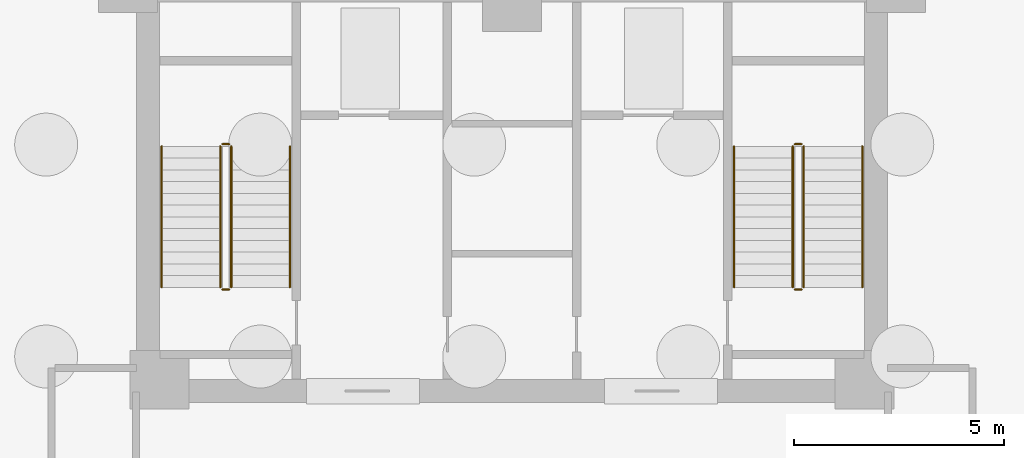
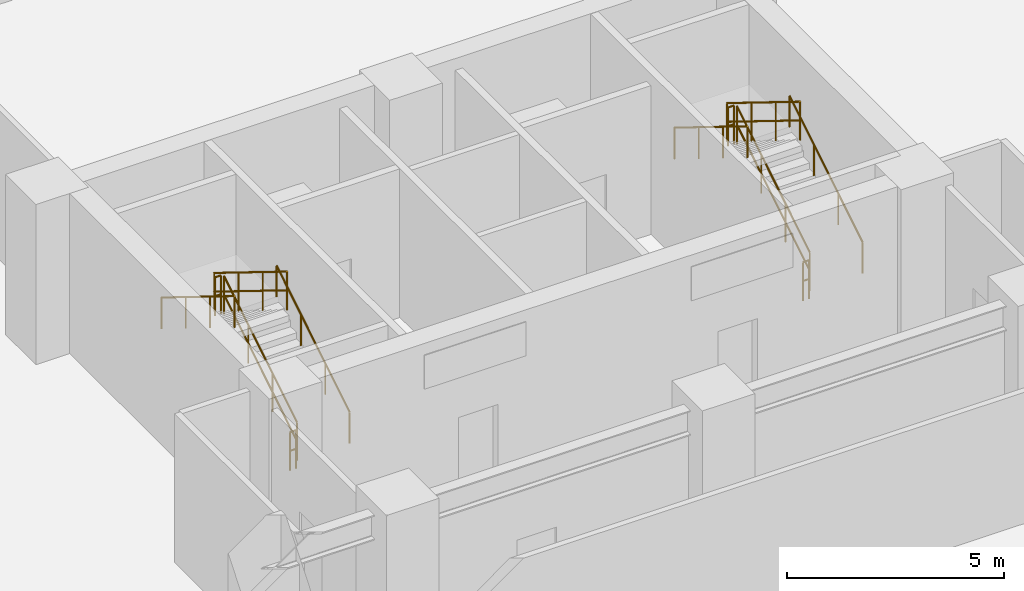
# One storey, part 13 of 15: 12 railings.
"""IFC4 building model written with IfcOpenShell, lengths in metres."""

from ifc_helpers import new_model, si_unit, derived_unit, direction, frame, origin, origin_2d, place, context, subcontext, project, spatial, circle, extrude, material, type_object, element, save


model = new_model("IFC4")

# Units and contexts
model_context = context("Model", 3, precision=1e-05, world=origin(), true_north=direction((0.0, 1.0)))
body_context = subcontext(model_context, "Body", "Model", "MODEL_VIEW")
ifc_project = project(units=[si_unit("LENGTHUNIT", "METRE"), si_unit("AREAUNIT", "SQUARE_METRE"), si_unit("VOLUMEUNIT", "CUBIC_METRE"), si_unit("PLANEANGLEUNIT", "RADIAN"), si_unit("MASSUNIT", "GRAM", prefix="KILO"), derived_unit("THERMALTRANSMITTANCEUNIT", [(si_unit("POWERUNIT", "WATT"), 1), (si_unit("LENGTHUNIT", "METRE"), -2), (si_unit("THERMODYNAMICTEMPERATUREUNIT", "KELVIN"), -1)])], contexts=[model_context])

# Site, building, storey
site_placement = place(None, origin())
site = spatial("IfcSite", under=ifc_project, at=site_placement, CompositionType="ELEMENT")
building_placement = place(site_placement, origin())
building = spatial("IfcBuilding", under=site, at=building_placement, Name="Korsvarv Bourse and Concert Hall", CompositionType="ELEMENT")
storey_placement = place(building_placement, frame((0.0, 0.0, -9.0)))
storey = spatial("IfcBuildingStorey", under=building, at=storey_placement, Name="B02", CompositionType="ELEMENT", Elevation=-9.0)

# Railings
ifc_material_1 = material(Name="Painted Steel S355 stair well guardrail", Category="steel")
railing_type_1 = type_object("IfcRailingType", Name="RL-ST-GRD", PredefinedType="GUARDRAIL", material=ifc_material_1)
railing_1_placement = place(storey_placement, frame((29.31005859375, 40.0, 0.173095703125)))
element("IfcRailing", 1, at=railing_1_placement, inside=storey, type_object=railing_type_1, Name="B02 ST-T1 stair guard 1", PredefinedType="GUARDRAIL", context=body_context, shape_type="SweptSolid", body=[
    extrude(circle(Radius=0.02392578125, at=origin_2d()), frame((0.0, 0.0, 1.076171875), z_axis=(0.0, 0.850623216509, 0.525775754039), x_axis=(-1.0, 0.0, 0.0)), (0.0, 0.0, 1.0), 3.9501953125),
    extrude(circle(Radius=0.02392578125, at=origin_2d()), frame((0.0, 0.0, 0.550048828125), z_axis=(0.0, 0.850623216509, 0.525775754039), x_axis=(-1.0, 0.0, 0.0)), (0.0, 0.0, 1.0), 3.9501953125),
    extrude(circle(Radius=0.02099609375, at=origin_2d()), origin(), (0.0, 0.0, 1.0), 1.052001953125),
    extrude(circle(Radius=0.02099609375, at=origin_2d()), frame((0.0, 1.1201171875, 0.6923828125)), (0.0, 0.0, 1.0), 1.052001953125),
    extrude(circle(Radius=0.02099609375, at=origin_2d()), frame((0.0, 2.239990234375, 1.384521484375)), (0.0, 0.0, 1.0), 1.052001953125),
    extrude(circle(Radius=0.02099609375, at=origin_2d()), frame((0.0, 3.360107421875, 2.076904296875)), (0.0, 0.0, 1.0), 1.052001953125),
])
railing_2_placement = place(storey_placement, frame((29.260009765625, 43.409912109375, 2.25)))
element("IfcRailing", 2, at=railing_2_placement, inside=storey, type_object=railing_type_1, Name="B02 ST-T1 stair guard 2", PredefinedType="GUARDRAIL", context=body_context, shape_type="SweptSolid", body=[
    extrude(circle(Radius=0.02392578125, at=origin_2d()), frame((0.0, 0.0, 1.076171875), z_axis=(-1.0, 0.0, 0.0), x_axis=(0.0, -1.0, 0.0)), (0.0, 0.0, 1.0), 0.159912109375),
    extrude(circle(Radius=0.02392578125, at=origin_2d()), frame((0.0, 0.0, 0.550048828125), z_axis=(-1.0, 0.0, 0.0), x_axis=(0.0, -1.0, 0.0)), (0.0, 0.0, 1.0), 0.159912109375),
    extrude(circle(Radius=0.02099609375, at=origin_2d()), origin(), (0.0, 0.0, 1.0), 1.052001953125),
    extrude(circle(Radius=0.02099609375, at=origin_2d()), frame((-0.159912109375, 0.0, 0.0)), (0.0, 0.0, 1.0), 1.052001953125),
])
railing_3_placement = place(storey_placement, frame((29.050048828125, 43.360107421875, 2.423095703125)))
element("IfcRailing", 3, at=railing_3_placement, inside=storey, type_object=railing_type_1, Name="B02 ST-T1 stair guard 3", PredefinedType="GUARDRAIL", context=body_context, shape_type="SweptSolid", body=[
    extrude(circle(Radius=0.02392578125, at=origin_2d()), frame((0.0, 0.0, 1.076171875), z_axis=(0.0, -0.850623216509, 0.525775754039), x_axis=(1.0, 0.0, 0.0)), (0.0, 0.0, 1.0), 3.9501953125),
    extrude(circle(Radius=0.02392578125, at=origin_2d()), frame((0.0, 0.0, 0.550048828125), z_axis=(0.0, -0.850623216509, 0.525775754039), x_axis=(1.0, 0.0, 0.0)), (0.0, 0.0, 1.0), 3.9501953125),
    extrude(circle(Radius=0.02099609375, at=origin_2d()), origin(), (0.0, 0.0, 1.0), 1.052001953125),
    extrude(circle(Radius=0.02099609375, at=origin_2d()), frame((0.0, -1.1201171875, 0.6923828125)), (0.0, 0.0, 1.0), 1.052001953125),
    extrude(circle(Radius=0.02099609375, at=origin_2d()), frame((0.0, -2.239990234375, 1.384521484375)), (0.0, 0.0, 1.0), 1.052001953125),
    extrude(circle(Radius=0.02099609375, at=origin_2d()), frame((0.0, -3.360107421875, 2.076904296875)), (0.0, 0.0, 1.0), 1.052001953125),
])
railing_4_placement = place(storey_placement, frame((29.260009765625, 39.949951171875, 0.0)))
element("IfcRailing", 4, at=railing_4_placement, inside=storey, type_object=railing_type_1, Name="B02 ST-T1 stair guard 4", PredefinedType="GUARDRAIL", context=body_context, shape_type="SweptSolid", body=[
    extrude(circle(Radius=0.02392578125, at=origin_2d()), frame((0.0, 0.0, 1.076171875), z_axis=(-1.0, 0.0, 0.0), x_axis=(0.0, -1.0, 0.0)), (0.0, 0.0, 1.0), 0.159912109375),
    extrude(circle(Radius=0.02392578125, at=origin_2d()), frame((0.0, 0.0, 0.550048828125), z_axis=(-1.0, 0.0, 0.0), x_axis=(0.0, -1.0, 0.0)), (0.0, 0.0, 1.0), 0.159912109375),
    extrude(circle(Radius=0.02099609375, at=origin_2d()), origin(), (0.0, 0.0, 1.0), 1.052001953125),
    extrude(circle(Radius=0.02099609375, at=origin_2d()), frame((-0.159912109375, 0.0, 0.0)), (0.0, 0.0, 1.0), 1.052001953125),
])
railing_5_placement = place(storey_placement, frame((42.949951171875, 40.0, 0.173095703125)))
element("IfcRailing", 5, at=railing_5_placement, inside=storey, type_object=railing_type_1, Name="B02 ST-T2 stair guard 1", PredefinedType="GUARDRAIL", context=body_context, shape_type="SweptSolid", body=[
    extrude(circle(Radius=0.02392578125, at=origin_2d()), frame((0.0, 0.0, 1.076171875), z_axis=(0.0, 0.850623216509, 0.525775754039), x_axis=(-1.0, 0.0, 0.0)), (0.0, 0.0, 1.0), 3.9501953125),
    extrude(circle(Radius=0.02392578125, at=origin_2d()), frame((0.0, 0.0, 0.550048828125), z_axis=(0.0, 0.850623216509, 0.525775754039), x_axis=(-1.0, 0.0, 0.0)), (0.0, 0.0, 1.0), 3.9501953125),
    extrude(circle(Radius=0.02099609375, at=origin_2d()), origin(), (0.0, 0.0, 1.0), 1.052001953125),
    extrude(circle(Radius=0.02099609375, at=origin_2d()), frame((0.0, 1.1201171875, 0.6923828125)), (0.0, 0.0, 1.0), 1.052001953125),
    extrude(circle(Radius=0.02099609375, at=origin_2d()), frame((0.0, 2.239990234375, 1.384521484375)), (0.0, 0.0, 1.0), 1.052001953125),
    extrude(circle(Radius=0.02099609375, at=origin_2d()), frame((0.0, 3.360107421875, 2.076904296875)), (0.0, 0.0, 1.0), 1.052001953125),
])
railing_6_placement = place(storey_placement, frame((42.89990234375, 43.409912109375, 2.25)))
element("IfcRailing", 6, at=railing_6_placement, inside=storey, type_object=railing_type_1, Name="B02 ST-T2 stair guard 2", PredefinedType="GUARDRAIL", context=body_context, shape_type="SweptSolid", body=[
    extrude(circle(Radius=0.02392578125, at=origin_2d()), frame((0.0, 0.0, 1.076171875), z_axis=(-1.0, 0.0, 0.0), x_axis=(0.0, -1.0, 0.0)), (0.0, 0.0, 1.0), 0.159912109375),
    extrude(circle(Radius=0.02392578125, at=origin_2d()), frame((0.0, 0.0, 0.550048828125), z_axis=(-1.0, 0.0, 0.0), x_axis=(0.0, -1.0, 0.0)), (0.0, 0.0, 1.0), 0.159912109375),
    extrude(circle(Radius=0.02099609375, at=origin_2d()), origin(), (0.0, 0.0, 1.0), 1.052001953125),
    extrude(circle(Radius=0.02099609375, at=origin_2d()), frame((-0.159912109375, 0.0, 0.0)), (0.0, 0.0, 1.0), 1.052001953125),
])
railing_7_placement = place(storey_placement, frame((42.68994140625, 43.360107421875, 2.423095703125)))
element("IfcRailing", 7, at=railing_7_placement, inside=storey, type_object=railing_type_1, Name="B02 ST-T2 stair guard 3", PredefinedType="GUARDRAIL", context=body_context, shape_type="SweptSolid", body=[
    extrude(circle(Radius=0.02392578125, at=origin_2d()), frame((0.0, 0.0, 1.076171875), z_axis=(0.0, -0.850623216509, 0.525775754039), x_axis=(1.0, 0.0, 0.0)), (0.0, 0.0, 1.0), 3.9501953125),
    extrude(circle(Radius=0.02392578125, at=origin_2d()), frame((0.0, 0.0, 0.550048828125), z_axis=(0.0, -0.850623216509, 0.525775754039), x_axis=(1.0, 0.0, 0.0)), (0.0, 0.0, 1.0), 3.9501953125),
    extrude(circle(Radius=0.02099609375, at=origin_2d()), origin(), (0.0, 0.0, 1.0), 1.052001953125),
    extrude(circle(Radius=0.02099609375, at=origin_2d()), frame((0.0, -1.1201171875, 0.6923828125)), (0.0, 0.0, 1.0), 1.052001953125),
    extrude(circle(Radius=0.02099609375, at=origin_2d()), frame((0.0, -2.239990234375, 1.384521484375)), (0.0, 0.0, 1.0), 1.052001953125),
    extrude(circle(Radius=0.02099609375, at=origin_2d()), frame((0.0, -3.360107421875, 2.076904296875)), (0.0, 0.0, 1.0), 1.052001953125),
])
railing_8_placement = place(storey_placement, frame((42.89990234375, 39.949951171875, 0.0)))
element("IfcRailing", 8, at=railing_8_placement, inside=storey, type_object=railing_type_1, Name="B02 ST-T2 stair guard 4", PredefinedType="GUARDRAIL", context=body_context, shape_type="SweptSolid", body=[
    extrude(circle(Radius=0.02392578125, at=origin_2d()), frame((0.0, 0.0, 1.076171875), z_axis=(-1.0, 0.0, 0.0), x_axis=(0.0, -1.0, 0.0)), (0.0, 0.0, 1.0), 0.159912109375),
    extrude(circle(Radius=0.02392578125, at=origin_2d()), frame((0.0, 0.0, 0.550048828125), z_axis=(-1.0, 0.0, 0.0), x_axis=(0.0, -1.0, 0.0)), (0.0, 0.0, 1.0), 0.159912109375),
    extrude(circle(Radius=0.02099609375, at=origin_2d()), origin(), (0.0, 0.0, 1.0), 1.052001953125),
    extrude(circle(Radius=0.02099609375, at=origin_2d()), frame((-0.159912109375, 0.0, 0.0)), (0.0, 0.0, 1.0), 1.052001953125),
])
ifc_material_2 = material(Name="Brushed stainless Steel S355 tubular handrail", Category="steel")
railing_type_2 = type_object("IfcRailingType", Name="RL-ST-HND", PredefinedType="HANDRAIL", material=ifc_material_2)
railing_9_placement = place(storey_placement, frame((30.7099609375, 40.0, 0.173095703125)))
element("IfcRailing", 9, at=railing_9_placement, inside=storey, type_object=railing_type_2, Name="B02 ST-T1 stair handrail 1", PredefinedType="HANDRAIL", context=body_context, shape_type="SweptSolid", body=[
    extrude(circle(Radius=0.02392578125, at=origin_2d()), frame((0.0, 0.0, 0.8759765625), z_axis=(0.0, 0.850623216509, 0.525775754039), x_axis=(-1.0, 0.0, 0.0)), (0.0, 0.0, 1.0), 3.9501953125),
    extrude(circle(Radius=0.02099609375, at=origin_2d()), origin(), (0.0, 0.0, 1.0), 0.851806640625),
    extrude(circle(Radius=0.02099609375, at=origin_2d()), frame((0.0, 1.1201171875, 0.6923828125)), (0.0, 0.0, 1.0), 0.851806640625),
    extrude(circle(Radius=0.02099609375, at=origin_2d()), frame((0.0, 2.239990234375, 1.384521484375)), (0.0, 0.0, 1.0), 0.851806640625),
    extrude(circle(Radius=0.02099609375, at=origin_2d()), frame((0.0, 3.360107421875, 2.076904296875)), (0.0, 0.0, 1.0), 0.851806640625),
])
railing_10_placement = place(storey_placement, frame((27.64990234375, 43.360107421875, 2.423095703125)))
element("IfcRailing", 10, at=railing_10_placement, inside=storey, type_object=railing_type_2, Name="B02 ST-T1 stair handrail 2", PredefinedType="HANDRAIL", context=body_context, shape_type="SweptSolid", body=[
    extrude(circle(Radius=0.02392578125, at=origin_2d()), frame((0.0, 0.0, 0.8759765625), z_axis=(0.0, -0.850623216509, 0.525775754039), x_axis=(1.0, 0.0, 0.0)), (0.0, 0.0, 1.0), 3.9501953125),
    extrude(circle(Radius=0.02099609375, at=origin_2d()), origin(), (0.0, 0.0, 1.0), 0.851806640625),
    extrude(circle(Radius=0.02099609375, at=origin_2d()), frame((0.0, -1.1201171875, 0.6923828125)), (0.0, 0.0, 1.0), 0.851806640625),
    extrude(circle(Radius=0.02099609375, at=origin_2d()), frame((0.0, -2.239990234375, 1.384521484375)), (0.0, 0.0, 1.0), 0.851806640625),
    extrude(circle(Radius=0.02099609375, at=origin_2d()), frame((0.0, -3.360107421875, 2.076904296875)), (0.0, 0.0, 1.0), 0.851806640625),
])
railing_11_placement = place(storey_placement, frame((44.35009765625, 40.0, 0.173095703125)))
element("IfcRailing", 11, at=railing_11_placement, inside=storey, type_object=railing_type_2, Name="B02 ST-T2 stair handrail 1", PredefinedType="HANDRAIL", context=body_context, shape_type="SweptSolid", body=[
    extrude(circle(Radius=0.02392578125, at=origin_2d()), frame((0.0, 0.0, 0.8759765625), z_axis=(0.0, 0.850623216509, 0.525775754039), x_axis=(-1.0, 0.0, 0.0)), (0.0, 0.0, 1.0), 3.9501953125),
    extrude(circle(Radius=0.02099609375, at=origin_2d()), origin(), (0.0, 0.0, 1.0), 0.851806640625),
    extrude(circle(Radius=0.02099609375, at=origin_2d()), frame((0.0, 1.1201171875, 0.6923828125)), (0.0, 0.0, 1.0), 0.851806640625),
    extrude(circle(Radius=0.02099609375, at=origin_2d()), frame((0.0, 2.239990234375, 1.384521484375)), (0.0, 0.0, 1.0), 0.851806640625),
    extrude(circle(Radius=0.02099609375, at=origin_2d()), frame((0.0, 3.360107421875, 2.076904296875)), (0.0, 0.0, 1.0), 0.851806640625),
])
railing_12_placement = place(storey_placement, frame((41.2900390625, 43.360107421875, 2.423095703125)))
element("IfcRailing", 12, at=railing_12_placement, inside=storey, type_object=railing_type_2, Name="B02 ST-T2 stair handrail 2", PredefinedType="HANDRAIL", context=body_context, shape_type="SweptSolid", body=[
    extrude(circle(Radius=0.02392578125, at=origin_2d()), frame((0.0, 0.0, 0.8759765625), z_axis=(0.0, -0.850623216509, 0.525775754039), x_axis=(1.0, 0.0, 0.0)), (0.0, 0.0, 1.0), 3.9501953125),
    extrude(circle(Radius=0.02099609375, at=origin_2d()), origin(), (0.0, 0.0, 1.0), 0.851806640625),
    extrude(circle(Radius=0.02099609375, at=origin_2d()), frame((0.0, -1.1201171875, 0.6923828125)), (0.0, 0.0, 1.0), 0.851806640625),
    extrude(circle(Radius=0.02099609375, at=origin_2d()), frame((0.0, -2.239990234375, 1.384521484375)), (0.0, 0.0, 1.0), 0.851806640625),
    extrude(circle(Radius=0.02099609375, at=origin_2d()), frame((0.0, -3.360107421875, 2.076904296875)), (0.0, 0.0, 1.0), 0.851806640625),
])

save(model, "model.ifc")
